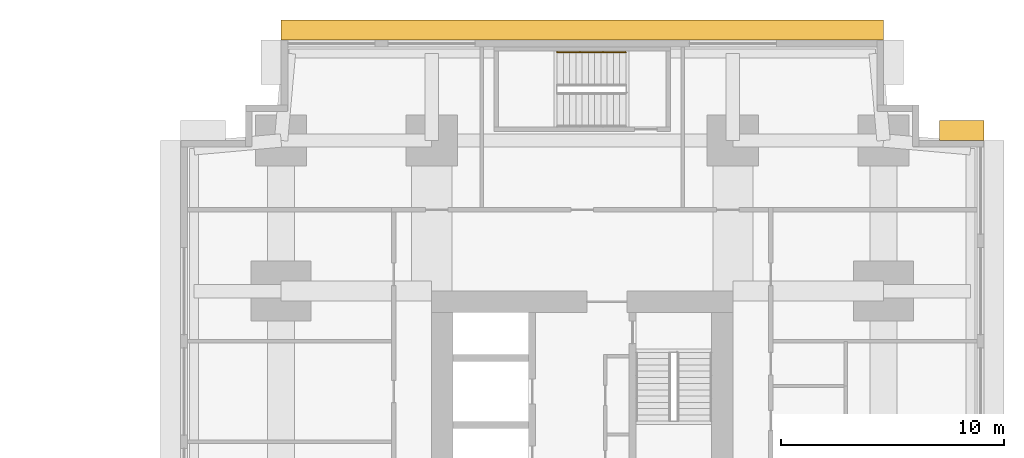
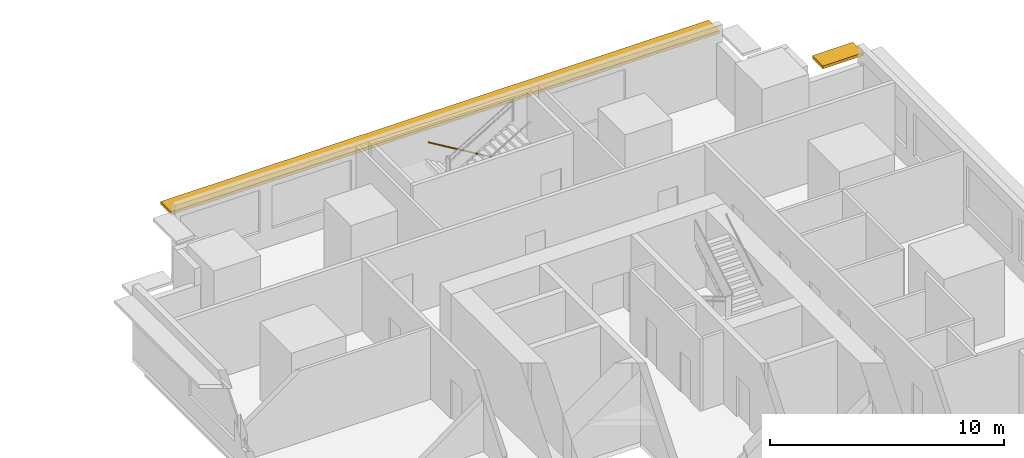
# One storey, part 11 of 11: 2 shading devices, 1 railing.
"""IFC4 building model written with IfcOpenShell, lengths in metres."""

from ifc_helpers import new_model, si_unit, direction, frame, origin, origin_2d, place, context, subcontext, project, spatial, rectangle, circle, extrude, material, layer, layer_set, type_object, element, save


model = new_model("IFC4")

# Units and contexts
model_context = context("Model", 3, precision=1e-05, world=origin(), true_north=direction((0.0, 1.0)))
body_context = subcontext(model_context, "Body", "Model", "MODEL_VIEW")
ifc_project = project(units=[si_unit("LENGTHUNIT", "METRE"), si_unit("AREAUNIT", "SQUARE_METRE"), si_unit("VOLUMEUNIT", "CUBIC_METRE"), si_unit("PLANEANGLEUNIT", "RADIAN"), si_unit("MASSUNIT", "GRAM", prefix="KILO")], contexts=[model_context])

# Site, building, storey
site_placement = place(None, origin())
site = spatial("IfcSite", under=ifc_project, at=site_placement, CompositionType="ELEMENT")
building_placement = place(site_placement, origin())
building = spatial("IfcBuilding", under=site, at=building_placement, Name="Namib Vertical Campus", CompositionType="ELEMENT")
storey_placement = place(building_placement, frame((0.0, 0.0, 33.0)))
storey = spatial("IfcBuildingStorey", under=building, at=storey_placement, Name="L07", CompositionType="ELEMENT", Elevation=33.0)

# Railing
ifc_material_1 = material(Name="Steel handrail", Category="steel")
railing_type = type_object("IfcRailingType", Name="Handrail 900", PredefinedType="HANDRAIL", material=ifc_material_1)
railing_placement = place(storey_placement, frame((82.949951171875, 39.949951171875, 0.166748046875)))
element("IfcRailing", 1, at=railing_placement, inside=storey, type_object=railing_type, Name="Handrail HR1 B-S3 L07 1", PredefinedType="HANDRAIL", context=body_context, shape_type="SweptSolid", body=[
    extrude(circle(Radius=0.02392578125, at=origin_2d()), frame((0.0, 0.0, 0.8759765625), z_axis=(-0.859290745958, 0.0, 0.51148745235), x_axis=(0.0, -1.0, 0.0)), (0.0, 0.0, 1.0), 3.584228515625),
    extrude(circle(Radius=0.008056640625, at=origin_2d()), frame((0.0, 0.0, 0.8759765625), z_axis=(0.0, 1.0, 0.0), x_axis=(0.0, 0.0, 1.0)), (0.0, 0.0, 1.0), 0.050048828125),
    extrude(circle(Radius=0.008056640625, at=origin_2d()), frame((-1.026611328125, 0.0, 1.48681640625), z_axis=(0.0, 1.0, 0.0), x_axis=(0.0, 0.0, 1.0)), (0.0, 0.0, 1.0), 0.050048828125),
    extrude(circle(Radius=0.008056640625, at=origin_2d()), frame((-2.05322265625, 0.0, 2.09814453125), z_axis=(0.0, 1.0, 0.0), x_axis=(0.0, 0.0, 1.0)), (0.0, 0.0, 1.0), 0.050048828125),
    extrude(circle(Radius=0.008056640625, at=origin_2d()), frame((-3.079833984375, 0.0, 2.708984375), z_axis=(0.0, 1.0, 0.0), x_axis=(0.0, 0.0, 1.0)), (0.0, 0.0, 1.0), 0.050048828125),
])

# Shading devices
ifc_material_2 = material(Name="Concrete C40/50 precast", Category="concrete")
ifc_layer = layer(ifc_material_2, 0.14990234375)
ifc_layer_set = layer_set([ifc_layer], Name="Concrete C40/50 precast")
shading_device_type = type_object("IfcShadingDeviceType", Name="Sunshade hood 900", PredefinedType="SHUTTER", material=ifc_layer_set)
shading_device_1_placement = place(storey_placement, frame((98.0, 36.449951171875, 3.10009765625), z_axis=(0.0, 0.0, 1.0), x_axis=(-1.0, 0.0, 0.0)))
element("IfcShadingDevice", 2, at=shading_device_1_placement, inside=storey, type_object=shading_device_type, Name="Sunshade SH1 L07 7", PredefinedType="SHUTTER", context=body_context, shape_type="SweptSolid", body=[
    extrude(rectangle(XDim=2.0, YDim=0.89990234375, at=origin_2d()), origin(), (0.0, 0.0, 1.0), 0.14990234375),
])
shading_device_2_placement = place(storey_placement, frame((81.0, 40.949951171875, 3.10009765625), z_axis=(0.0, 0.0, 1.0), x_axis=(-1.0, 0.0, 0.0)))
element("IfcShadingDevice", 3, at=shading_device_2_placement, inside=storey, type_object=shading_device_type, Name="Sunshade SH1 L07 11", PredefinedType="SHUTTER", context=body_context, shape_type="SweptSolid", body=[
    extrude(rectangle(XDim=27.0, YDim=0.89990234375, at=origin_2d()), origin(), (0.0, 0.0, 1.0), 0.14990234375),
])

save(model, "model.ifc")
